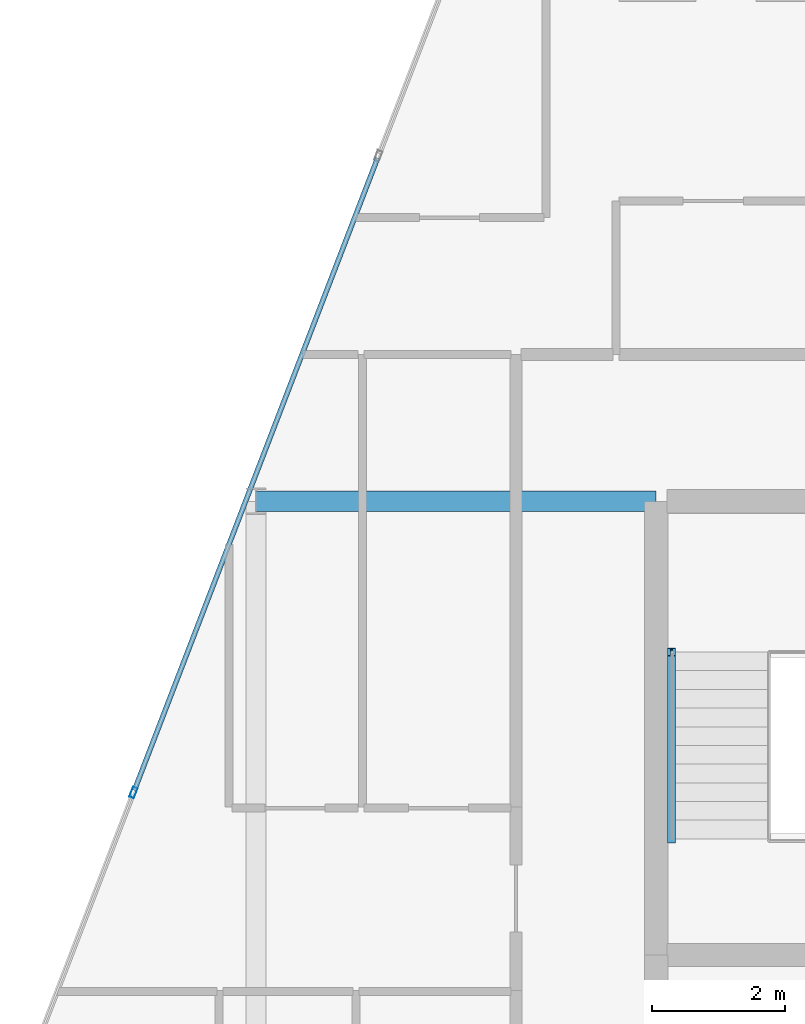
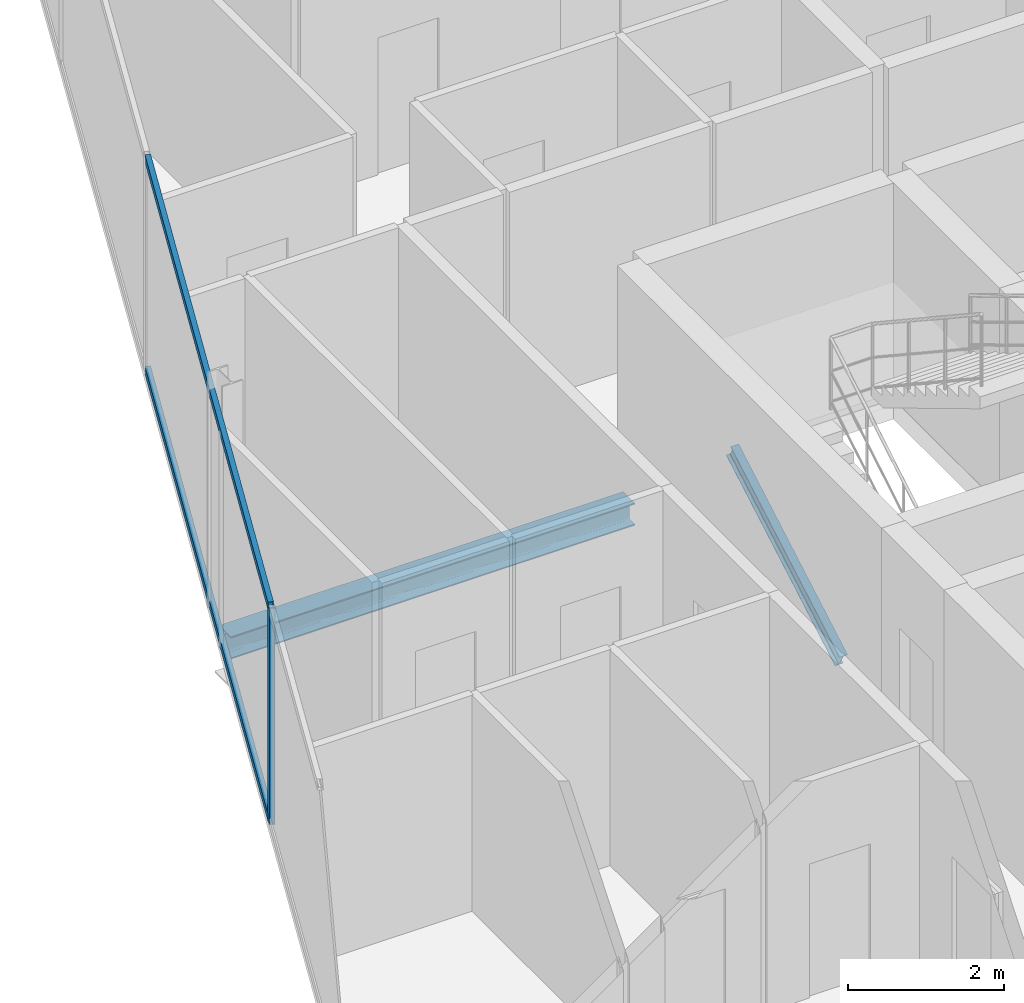
# One storey, part 10 of 27: 4 members, 1 beam, 1 element without a shape of its own.
"""IFC4 building model written with IfcOpenShell, lengths in metres."""

from ifc_helpers import new_model, si_unit, direction, frame, origin, origin_2d, place, context, subcontext, project, spatial, hollow_rectangle, i_section, extrude, material, layer, layer_set, material_profile, profile_set, type_object, element, aggregate, save


model = new_model("IFC4")

# Units and contexts
model_context = context("Model", 3, precision=1e-05, world=origin(), true_north=direction((0.0, 1.0)))
body_context = subcontext(model_context, "Body", "Model", "MODEL_VIEW")
ifc_project = project(units=[si_unit("LENGTHUNIT", "METRE"), si_unit("AREAUNIT", "SQUARE_METRE"), si_unit("VOLUMEUNIT", "CUBIC_METRE"), si_unit("PLANEANGLEUNIT", "RADIAN"), si_unit("MASSUNIT", "GRAM", prefix="KILO")], contexts=[model_context])

# Site, building, storey
site_placement = place(None, origin())
site = spatial("IfcSite", under=ifc_project, at=site_placement, CompositionType="ELEMENT")
building_placement = place(site_placement, origin())
building = spatial("IfcBuilding", under=site, at=building_placement, Name="Keshet Zoharim Tower", CompositionType="ELEMENT")
storey_placement = place(building_placement, frame((0.0, 0.0, 269.5)))
storey = spatial("IfcBuildingStorey", under=building, at=storey_placement, Name="L67", CompositionType="ELEMENT", Elevation=269.5)

# Beam
ifc_material_1 = material(Name="Steel S355", Category="steel")
ifc_material_profile_1 = material_profile(ifc_material_1, i_section(OverallWidth=0.300048828125, OverallDepth=0.35009765625, WebThickness=0.010009765625, FlangeThickness=0.017578125, FilletRadius=0.027099609375, at=origin_2d()), Name="HEA360")
ifc_profile_set_1 = profile_set([ifc_material_profile_1], Name="Steel S355")
beam_type = type_object("IfcBeamType", Name="BM-PRI-HA360", PredefinedType="BEAM", material=ifc_profile_set_1)
beam_placement = place(storey_placement, frame((9.0, 37.89990234375, -0.485107421875), z_axis=(1.0, 0.0, 0.0), x_axis=(0.0, 1.0, 0.0)))
element("IfcBeam", 1, at=beam_placement, inside=storey, type_object=beam_type, Name="L67 Primary Girder X-008", PredefinedType="BEAM", context=body_context, shape_type="SweptSolid", body=[
    extrude(i_section(OverallWidth=0.300048828125, OverallDepth=0.35009765625, WebThickness=0.010009765625, FlangeThickness=0.017578125, FilletRadius=0.027099609375, at=origin_2d()), origin(), (0.0, 0.0, 1.0), 6.0),
])

# Curtain wall, members
ifc_material_2 = material(Name="Aluminium 6063-T6", Category="aluminium")
ifc_layer = layer(ifc_material_2, 0.260009765625)
ifc_layer_set = layer_set([ifc_layer], Name="Aluminium 6063-T6")
curtain_wall_type = type_object("IfcCurtainWallType", Name="CW-SYS-06", PredefinedType="NOTDEFINED", material=ifc_layer_set)
curtain_wall_placement = place(storey_placement, origin())
curtain_wall = element("IfcCurtainWall", 2, at=curtain_wall_placement, inside=storey, type_object=curtain_wall_type, Name="L67 Unitised Curtain Wall 03", PredefinedType="NOTDEFINED")
ifc_material_profile_2 = material_profile(ifc_material_2, hollow_rectangle(XDim=0.074951171875, YDim=0.159912109375, WallThickness=0.00390625, at=origin_2d()), Name="MUL-75x160")
ifc_profile_set_2 = profile_set([ifc_material_profile_2], Name="Aluminium 6063-T6")
member_type_1 = type_object("IfcMemberType", Name="CWM-M15", PredefinedType="MULLION", material=ifc_profile_set_2)
member_1_placement = place(storey_placement, frame((7.1669921875, 33.53466796875, 0.0), z_axis=(0.0, 0.0, 1.0), x_axis=(-0.933341404361, 0.358990003907, 0.0)))
member_1 = element("IfcMember", 3, at=member_1_placement, type_object=member_type_1, Name="CW-06 mullion 2", PredefinedType="MULLION", context=body_context, shape_type="SweptSolid", body=[
    extrude(hollow_rectangle(XDim=0.074951171875, YDim=0.159912109375, WallThickness=0.00390625, at=origin_2d()), origin(), (0.0, 0.0, 1.0), 3.389892578125),
])
ifc_material_profile_3 = material_profile(ifc_material_2, hollow_rectangle(XDim=0.074951171875, YDim=0.1201171875, WallThickness=0.00390625, at=origin_2d()), Name="TRN-75x120")
ifc_profile_set_3 = profile_set([ifc_material_profile_3], Name="Aluminium 6063-T6")
member_type_2 = type_object("IfcMemberType", Name="CWT-T12", PredefinedType="USERDEFINED", material=ifc_profile_set_3)
member_2_placement = place(storey_placement, frame((7.179443359375, 33.5673828125, 0.034912109375), z_axis=(0.359003248899, 0.933336309848, 0.0), x_axis=(-0.933336309848, 0.359003248899, 0.0)))
member_2 = element("IfcMember", 4, at=member_2_placement, type_object=member_type_2, Name="CW-06 transom 2.1", ObjectType="TRANSOM", PredefinedType="USERDEFINED", context=body_context, shape_type="SweptSolid", body=[
    extrude(hollow_rectangle(XDim=0.074951171875, YDim=0.1201171875, WallThickness=0.00390625, at=origin_2d()), origin(), (0.0, 0.0, 1.0), 10.153076171875),
])
member_3_placement = place(storey_placement, frame((7.179443359375, 33.5673828125, 3.35498046875), z_axis=(0.359003248899, 0.933336309848, 0.0), x_axis=(-0.933336309848, 0.359003248899, 0.0)))
member_3 = element("IfcMember", 5, at=member_3_placement, type_object=member_type_2, Name="CW-06 transom 2.2", ObjectType="TRANSOM", PredefinedType="USERDEFINED", context=body_context, shape_type="SweptSolid", body=[
    extrude(hollow_rectangle(XDim=0.074951171875, YDim=0.1201171875, WallThickness=0.00390625, at=origin_2d()), origin(), (0.0, 0.0, 1.0), 10.153076171875),
])
aggregate(curtain_wall, [member_1, member_2, member_3])

# Member
ifc_material_profile_4 = material_profile(ifc_material_1, i_section(OverallWidth=0.1201171875, OverallDepth=0.239990234375, WebThickness=0.006103515625, FlangeThickness=0.009765625, FilletRadius=0.014892578125, at=origin_2d()), Name="IPE240")
ifc_profile_set_4 = profile_set([ifc_material_profile_4], Name="Steel S355")
member_type_3 = type_object("IfcMemberType", Name="MB-STRG-IP240", PredefinedType="STRINGER", material=ifc_profile_set_4)
member_4_placement = place(storey_placement, frame((15.22998046875, 32.840087890625, 0.1201171875), z_axis=(0.0, 0.866909569656, 0.498465443174), x_axis=(-1.0, 0.0, 0.0)))
element("IfcMember", 6, at=member_4_placement, inside=storey, type_object=member_type_3, Name="L67 ST-02 Flight Steel Stringer", PredefinedType="STRINGER", context=body_context, shape_type="SweptSolid", body=[
    extrude(i_section(OverallWidth=0.1201171875, OverallDepth=0.239990234375, WebThickness=0.006103515625, FlangeThickness=0.009765625, FilletRadius=0.014892578125, at=origin_2d()), origin(), (0.0, 0.0, 1.0), 3.229736328125),
])

save(model, "model.ifc")
